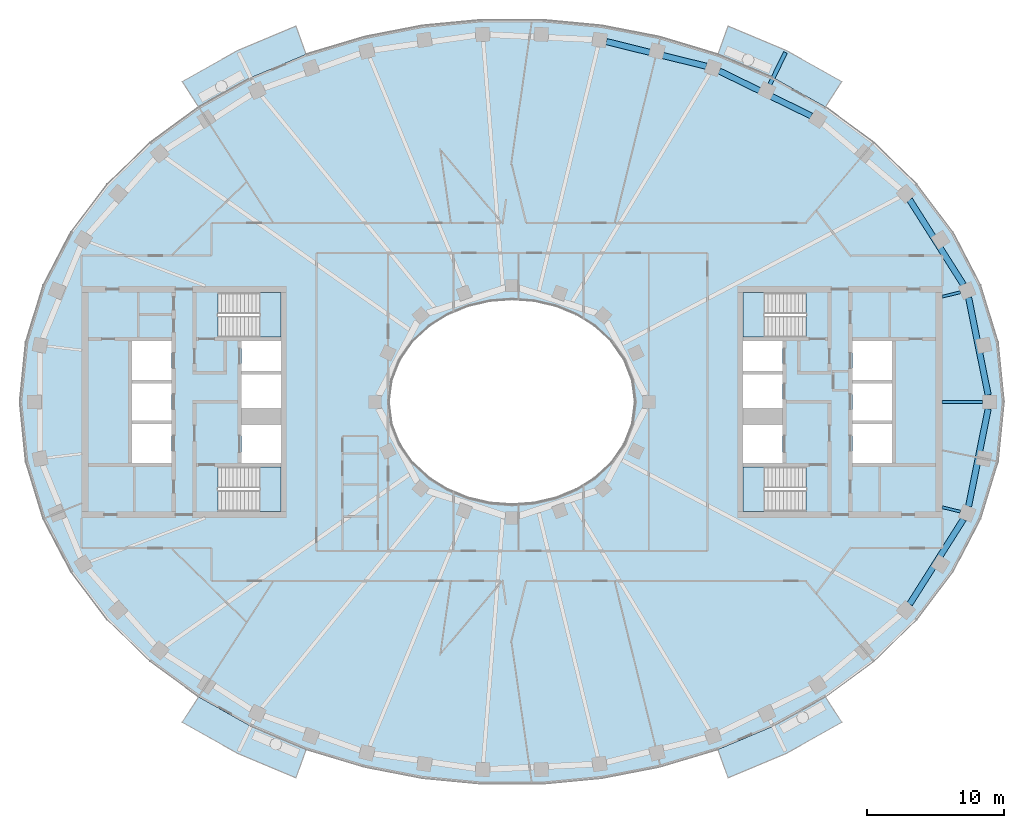
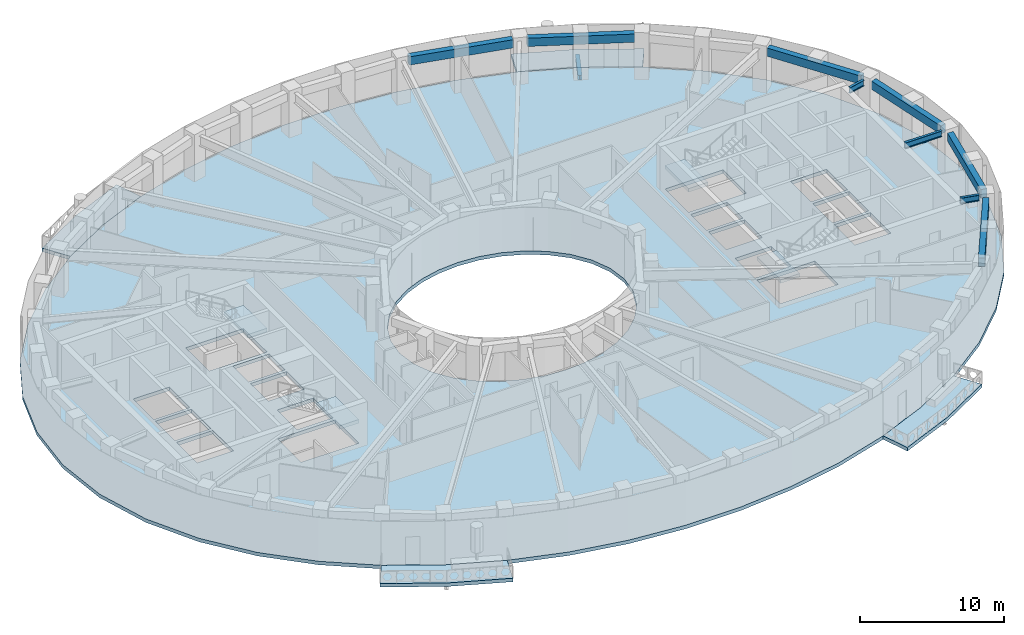
# One storey, part 2 of 15: 10 beams, 9 slabs, 4 elements without a shape of their own.
"""IFC4 building model written with IfcOpenShell, lengths in metres."""

from ifc_helpers import new_model, si_unit, direction, frame, origin, origin_2d, place, context, subcontext, project, spatial, polyline, rectangle, i_section, outline, extrude, material, layer, layer_set, material_profile, profile_set, type_object, element, aggregate, save


model = new_model("IFC4")

# Units and contexts
model_context = context("Model", 3, precision=1e-05, world=origin(), true_north=direction((0.0, 1.0)))
body_context = subcontext(model_context, "Body", "Model", "MODEL_VIEW")
ifc_project = project(units=[si_unit("LENGTHUNIT", "METRE"), si_unit("AREAUNIT", "SQUARE_METRE"), si_unit("VOLUMEUNIT", "CUBIC_METRE"), si_unit("PLANEANGLEUNIT", "RADIAN"), si_unit("MASSUNIT", "GRAM", prefix="KILO")], contexts=[model_context])

# Site, building, storey
site_placement = place(None, origin())
site = spatial("IfcSite", under=ifc_project, at=site_placement, CompositionType="ELEMENT")
building_placement = place(site_placement, origin())
building = spatial("IfcBuilding", under=site, at=building_placement, Name="Noorbagh Ring Tower", CompositionType="ELEMENT")
storey_placement = place(building_placement, frame((0.0, 0.0, 265.5)))
storey = spatial("IfcBuildingStorey", under=building, at=storey_placement, Name="L56", CompositionType="ELEMENT", Elevation=265.5)

# Beams
ifc_material_1 = material(Name="Steel S355", Category="steel")
ifc_material_profile_1 = material_profile(ifc_material_1, i_section(OverallWidth=0.300048828125, OverallDepth=0.39990234375, WebThickness=0.013427734375, FlangeThickness=0.02392578125, FilletRadius=0.027099609375, at=origin_2d()), Name="HEB400")
ifc_profile_set_1 = profile_set([ifc_material_profile_1], Name="Steel S355")
beam_type_1 = type_object("IfcBeamType", Name="STR-BALCONY-BRACKET-HEB400", PredefinedType="BEAM", material=ifc_profile_set_1)
beam_1_placement = place(storey_placement, frame((18.8681640625, 23.239013671875, -0.5), z_axis=(0.439233708137, 0.898372834427, 0.0), x_axis=(-0.898372834427, 0.439233708137, 0.0)))
element("IfcBeam", 1, at=beam_1_placement, inside=storey, type_object=beam_type_1, Name="Balcony bracket beam BN02", PredefinedType="BEAM", context=body_context, shape_type="SweptSolid", body=[
    extrude(i_section(OverallWidth=0.300048828125, OverallDepth=0.39990234375, WebThickness=0.013427734375, FlangeThickness=0.02392578125, FilletRadius=0.027099609375, at=origin_2d()), origin(), (0.0, 0.0, 1.0), 2.60009765625),
])
ifc_material_2 = material(Name="Steel S355", Category="steel")
ifc_material_profile_2 = material_profile(ifc_material_2, i_section(OverallWidth=0.199951171875, OverallDepth=0.5, WebThickness=0.01025390625, FlangeThickness=0.01611328125, FilletRadius=0.02099609375, at=origin_2d()), Name="IPE500")
ifc_profile_set_2 = profile_set([ifc_material_profile_2], Name="Steel S355")
beam_type_2 = type_object("IfcBeamType", Name="STR-RAD-IPE500", PredefinedType="BEAM", material=ifc_profile_set_2)
beam_2_placement = place(storey_placement, frame((34.439697265625, 0.0, 3.449951171875), z_axis=(-1.0, 0.0, 0.0), x_axis=(0.0, -1.0, 0.0)))
element("IfcBeam", 2, at=beam_2_placement, inside=storey, type_object=beam_type_2, Name="L56/bm/RD01", PredefinedType="BEAM", context=body_context, shape_type="SweptSolid", body=[
    extrude(i_section(OverallWidth=0.199951171875, OverallDepth=0.5, WebThickness=0.01025390625, FlangeThickness=0.01611328125, FilletRadius=0.02099609375, at=origin_2d()), origin(), (0.0, 0.0, 1.0), 2.959716796875),
])
for number, where, z_axis, x_axis, name in (
    (3, (32.80908203125, 8.02783203125, 3.449951171875), (-0.971368805904, -0.237576604311, 0.0), (0.237576604311, -0.971368805904, 0.0), "L56/bm/RD03"),
    (4, (32.80908203125, -8.02783203125, 3.449951171875), (-0.971368805904, 0.237576604311, 0.0), (-0.237576604311, -0.971368805904, 0.0), "L56/bm/RD45"),
):
    element("IfcBeam", number, at=place(storey_placement, frame(where, z_axis=z_axis, x_axis=x_axis)), inside=storey, type_object=beam_type_2, Name=name, PredefinedType="BEAM", context=body_context, shape_type="SweptSolid", body=[
        extrude(i_section(OverallWidth=0.199951171875, OverallDepth=0.5, WebThickness=0.01025390625, FlangeThickness=0.01611328125, FilletRadius=0.02099609375, at=origin_2d()), origin(), (0.0, 0.0, 1.0), 1.36767578125),
    ])
ifc_material_3 = material(Name="Concrete C40/50", Category="concrete")
ifc_material_profile_3 = material_profile(ifc_material_3, rectangle(XDim=0.449951171875, YDim=0.699951171875, at=origin_2d()), Name="RC450x700")
ifc_profile_set_3 = profile_set([ifc_material_profile_3], Name="Concrete C40/50")
beam_type_3 = type_object("IfcBeamType", Name="STR-SB-RC450x700-C40-50", PredefinedType="BEAM", material=ifc_profile_set_3)
beam_3_placement = place(storey_placement, frame((34.843017578125, 0.50537109375, 3.35009765625), z_axis=(-0.197224898537, 0.980358270938, 0.0), x_axis=(-0.980358270938, -0.197224898537, 0.0)))
element("IfcBeam", 5, at=beam_3_placement, inside=storey, type_object=beam_type_3, Name="L56/bm/SP01", PredefinedType="BEAM", context=body_context, shape_type="SweptSolid", body=[
    extrude(rectangle(XDim=0.449951171875, YDim=0.699951171875, at=origin_2d()), origin(), (0.0, 0.0, 1.0), 7.282470703125),
])
beam_4_placement = place(storey_placement, frame((33.030517578125, 8.5830078125, 3.35009765625), z_axis=(-0.535199696751, 0.844725567624, 0.0), x_axis=(-0.844725567624, -0.535199696751, 0.0)))
element("IfcBeam", 6, at=beam_4_placement, inside=storey, type_object=beam_type_3, Name="L56/bm/SP03", PredefinedType="BEAM", context=body_context, shape_type="SweptSolid", body=[
    extrude(rectangle(XDim=0.449951171875, YDim=0.699951171875, at=origin_2d()), origin(), (0.0, 0.0, 1.0), 7.357421875),
])
beam_5_placement = place(storey_placement, frame((21.905029296875, 20.92333984375, 3.35009765625), z_axis=(-0.898394634575, 0.439189117087, 0.0), x_axis=(-0.439189117087, -0.898394634575, 0.0)))
element("IfcBeam", 7, at=beam_5_placement, inside=storey, type_object=beam_type_3, Name="L56/bm/SP07", PredefinedType="BEAM", context=body_context, shape_type="SweptSolid", body=[
    extrude(rectangle(XDim=0.449951171875, YDim=0.699951171875, at=origin_2d()), origin(), (0.0, 0.0, 1.0), 7.501220703125),
])
beam_6_placement = place(storey_placement, frame((14.216552734375, 24.562744140625, 3.35009765625), z_axis=(-0.970832363292, 0.239759300935, 0.0), x_axis=(-0.239759300935, -0.970832363292, 0.0)))
element("IfcBeam", 8, at=beam_6_placement, inside=storey, type_object=beam_type_3, Name="L56/bm/SP09", PredefinedType="BEAM", context=body_context, shape_type="SweptSolid", body=[
    extrude(rectangle(XDim=0.449951171875, YDim=0.699951171875, at=origin_2d()), origin(), (0.0, 0.0, 1.0), 7.5341796875),
])
beam_7_placement = place(storey_placement, frame((29.0927734375, -14.798095703125, 3.35009765625), z_axis=(0.535199696751, 0.844725567624, 0.0), x_axis=(-0.844725567624, 0.535199696751, 0.0)))
element("IfcBeam", 9, at=beam_7_placement, inside=storey, type_object=beam_type_3, Name="L56/bm/SP43", PredefinedType="BEAM", context=body_context, shape_type="SweptSolid", body=[
    extrude(rectangle(XDim=0.449951171875, YDim=0.699951171875, at=origin_2d()), origin(), (0.0, 0.0, 1.0), 7.357421875),
])
beam_8_placement = place(storey_placement, frame((33.40673828125, -7.644775390625, 3.35009765625), z_axis=(0.197224898537, 0.980358270938, 0.0), x_axis=(-0.980358270938, 0.197224898537, 0.0)))
element("IfcBeam", 10, at=beam_8_placement, inside=storey, type_object=beam_type_3, Name="L56/bm/SP45", PredefinedType="BEAM", context=body_context, shape_type="SweptSolid", body=[
    extrude(rectangle(XDim=0.449951171875, YDim=0.699951171875, at=origin_2d()), origin(), (0.0, 0.0, 1.0), 7.282470703125),
])

# Stair, slab
ifc_material_4 = material(Name="Concrete C40/50", Category="concrete")
stair_type = type_object("IfcStairType", Name="CORE-STAIR", PredefinedType="HALF_TURN_STAIR", material=ifc_material_4)
stair_1_placement = place(storey_placement, origin())
stair_1 = element("IfcStair", 11, at=stair_1_placement, inside=storey, type_object=stair_type, Name="L56 Exit stair ST1", PredefinedType="HALF_TURN_STAIR")
ifc_material_5 = material(Name="Concrete C40/50", Category="concrete")
ifc_layer_1 = layer(ifc_material_5, 0.300048828125)
ifc_layer_set_1 = layer_set([ifc_layer_1], Name="Concrete C40/50")
slab_type_1 = type_object("IfcSlabType", Name="CORE-STAIR-LANDING", PredefinedType="LANDING", material=ifc_layer_set_1)
slab_1_placement = place(storey_placement, frame((0.0, 0.0, 1.699951171875)))
slab_1 = element("IfcSlab", 12, at=slab_1_placement, type_object=slab_type_1, Name="ST1 landing 1", PredefinedType="LANDING", context=body_context, shape_type="SweptSolid", body=[
    extrude(outline(polyline([(-18.449951171875, 4.75), (-16.89990234375, 4.75), (-16.89990234375, 8.0), (-18.449951171875, 8.0), (-18.449951171875, 4.75)])), origin(), (0.0, 0.0, 1.0), 0.300048828125),
])
aggregate(stair_1, [slab_1])

stair_2_placement = place(storey_placement, origin())
stair_2 = element("IfcStair", 13, at=stair_2_placement, inside=storey, type_object=stair_type, Name="L56 Exit stair ST2", PredefinedType="HALF_TURN_STAIR")
slab_2_placement = place(storey_placement, frame((0.0, 0.0, 1.699951171875)))
slab_2 = element("IfcSlab", 14, at=slab_2_placement, type_object=slab_type_1, Name="ST2 landing 1", PredefinedType="LANDING", context=body_context, shape_type="SweptSolid", body=[
    extrude(outline(polyline([(-18.449951171875, -8.0), (-16.89990234375, -8.0), (-16.89990234375, -4.75), (-18.449951171875, -4.75), (-18.449951171875, -8.0)])), origin(), (0.0, 0.0, 1.0), 0.300048828125),
])
aggregate(stair_2, [slab_2])

stair_3_placement = place(storey_placement, origin())
stair_3 = element("IfcStair", 15, at=stair_3_placement, inside=storey, type_object=stair_type, Name="L56 Exit stair ST3", PredefinedType="HALF_TURN_STAIR")
slab_3_placement = place(storey_placement, frame((0.0, 0.0, 1.699951171875)))
slab_3 = element("IfcSlab", 16, at=slab_3_placement, type_object=slab_type_1, Name="ST3 landing 1", PredefinedType="LANDING", context=body_context, shape_type="SweptSolid", body=[
    extrude(outline(polyline([(18.449951171875, 8.0), (16.89990234375, 8.0), (16.89990234375, 4.75), (18.449951171875, 4.75), (18.449951171875, 8.0)])), origin(), (0.0, 0.0, 1.0), 0.300048828125),
])
aggregate(stair_3, [slab_3])

stair_4_placement = place(storey_placement, origin())
stair_4 = element("IfcStair", 17, at=stair_4_placement, inside=storey, type_object=stair_type, Name="L56 Exit stair ST4", PredefinedType="HALF_TURN_STAIR")
slab_4_placement = place(storey_placement, frame((0.0, 0.0, 1.699951171875)))
slab_4 = element("IfcSlab", 18, at=slab_4_placement, type_object=slab_type_1, Name="ST4 landing 1", PredefinedType="LANDING", context=body_context, shape_type="SweptSolid", body=[
    extrude(outline(polyline([(18.449951171875, -4.75), (16.89990234375, -4.75), (16.89990234375, -8.0), (18.449951171875, -8.0), (18.449951171875, -4.75)])), origin(), (0.0, 0.0, 1.0), 0.300048828125),
])
aggregate(stair_4, [slab_4])

# Slabs
ifc_material_6 = material(Name="Concrete C40/50", Category="concrete")
ifc_layer_2 = layer(ifc_material_6, 0.300048828125)
ifc_layer_set_2 = layer_set([ifc_layer_2], Name="Concrete C40/50")
slab_type_2 = type_object("IfcSlabType", Name="ENV-BALCONY DECK 300", PredefinedType="FLOOR", material=ifc_layer_set_2)
slab_5_placement = place(storey_placement, frame((0.0, 0.0, -0.300048828125)))
element("IfcSlab", 19, at=slab_5_placement, inside=storey, type_object=slab_type_2, Name="Tree balcony deck BN02", PredefinedType="FLOOR", context=body_context, shape_type="SweptSolid", body=[
    extrude(outline(polyline([(24.1279296875, 23.435791015625), (20.076171875, 25.709716796875), (15.810791015625, 27.50341796875), (15.0654296875, 25.430419921875), (19.108154296875, 23.730224609375), (22.9326171875, 21.583740234375), (24.1279296875, 23.435791015625)])), origin(), (0.0, 0.0, 1.0), 0.300048828125),
])
slab_6_placement = place(storey_placement, frame((0.0, 0.0, -0.300048828125)))
element("IfcSlab", 20, at=slab_6_placement, inside=storey, type_object=slab_type_2, Name="Tree balcony deck BN05", PredefinedType="FLOOR", context=body_context, shape_type="SweptSolid", body=[
    extrude(outline(polyline([(-15.810791015625, 27.50341796875), (-20.076171875, 25.709716796875), (-24.1279296875, 23.435791015625), (-22.9326171875, 21.583740234375), (-19.108154296875, 23.730224609375), (-15.0654296875, 25.430419921875), (-15.810791015625, 27.50341796875)])), origin(), (0.0, 0.0, 1.0), 0.300048828125),
])
slab_7_placement = place(storey_placement, frame((0.0, 0.0, -0.300048828125)))
element("IfcSlab", 21, at=slab_7_placement, inside=storey, type_object=slab_type_2, Name="Tree balcony deck BS02", PredefinedType="FLOOR", context=body_context, shape_type="SweptSolid", body=[
    extrude(outline(polyline([(-24.1279296875, -23.435791015625), (-20.076171875, -25.709716796875), (-15.810791015625, -27.50341796875), (-15.0654296875, -25.430419921875), (-19.108154296875, -23.730224609375), (-22.9326171875, -21.583740234375), (-24.1279296875, -23.435791015625)])), origin(), (0.0, 0.0, 1.0), 0.300048828125),
])
slab_8_placement = place(storey_placement, frame((0.0, 0.0, -0.300048828125)))
element("IfcSlab", 22, at=slab_8_placement, inside=storey, type_object=slab_type_2, Name="Tree balcony deck BS05", PredefinedType="FLOOR", context=body_context, shape_type="SweptSolid", body=[
    extrude(outline(polyline([(15.810791015625, -27.50341796875), (20.076171875, -25.709716796875), (24.1279296875, -23.435791015625), (22.9326171875, -21.583740234375), (19.108154296875, -23.730224609375), (15.0654296875, -25.430419921875), (15.810791015625, -27.50341796875)])), origin(), (0.0, 0.0, 1.0), 0.300048828125),
])
ifc_material_7 = material(Name="Concrete C40/50", Category="concrete")
ifc_layer_3 = layer(ifc_material_7, 0.300048828125)
ifc_layer_set_3 = layer_set([ifc_layer_3], Name="Concrete C40/50")
slab_type_3 = type_object("IfcSlabType", Name="STR-FLOOR-DECK-300", PredefinedType="FLOOR", material=ifc_layer_set_3)
slab_9_placement = place(storey_placement, frame((0.0, 0.0, -0.300048828125)))
element("IfcSlab", 23, at=slab_9_placement, inside=storey, type_object=slab_type_3, Name="L56/slab/1", PredefinedType="FLOOR", context=body_context, shape_type="SweptSolid", body=[
    extrude(outline(polyline([(36.0, 0.0), (35.56103515625, 4.358642578125), (34.281005859375, 8.548828125), (32.255126953125, 12.434814453125), (29.607666015625, 15.92822265625), (26.463134765625, 18.983154296875), (22.9326171875, 21.583740234375), (19.108154296875, 23.730224609375), (15.0654296875, 25.430419921875), (10.865234375, 26.6943359375), (6.5595703125, 27.53125), (2.193115234375, 27.947998046875), (-2.193115234375, 27.947998046875), (-6.5595703125, 27.53125), (-10.865234375, 26.6943359375), (-15.0654296875, 25.430419921875), (-19.108154296875, 23.730224609375), (-22.9326171875, 21.583740234375), (-26.463134765625, 18.983154296875), (-29.607666015625, 15.92822265625), (-32.255126953125, 12.434814453125), (-34.281005859375, 8.548828125), (-35.56103515625, 4.358642578125), (-36.0, 0.0), (-35.56103515625, -4.358642578125), (-34.281005859375, -8.548828125), (-32.255126953125, -12.434814453125), (-29.607666015625, -15.92822265625), (-26.463134765625, -18.983154296875), (-22.9326171875, -21.583740234375), (-19.108154296875, -23.730224609375), (-15.0654296875, -25.430419921875), (-10.865234375, -26.6943359375), (-6.5595703125, -27.53125), (-2.193115234375, -27.947998046875), (2.193115234375, -27.947998046875), (6.5595703125, -27.53125), (10.865234375, -26.6943359375), (15.0654296875, -25.430419921875), (19.108154296875, -23.730224609375), (22.9326171875, -21.583740234375), (26.463134765625, -18.983154296875), (29.607666015625, -15.92822265625), (32.255126953125, -12.434814453125), (34.281005859375, -8.548828125), (35.56103515625, -4.358642578125), (36.0, 0.0)]), holes=[polyline([(24.89990234375, 4.449951171875), (27.800048828125, 4.449951171875), (27.800048828125, 1.60009765625), (24.89990234375, 1.60009765625), (24.89990234375, 4.449951171875)]), polyline([(24.89990234375, 1.35009765625), (27.800048828125, 1.35009765625), (27.800048828125, -1.35009765625), (24.89990234375, -1.35009765625), (24.89990234375, 1.35009765625)]), polyline([(24.89990234375, -1.60009765625), (27.800048828125, -1.60009765625), (27.800048828125, -4.449951171875), (24.89990234375, -4.449951171875), (24.89990234375, -1.60009765625)]), polyline([(21.529541015625, -8.0), (16.89990234375, -8.0), (16.89990234375, -4.75), (21.529541015625, -4.75), (21.529541015625, -8.0)]), polyline([(16.89990234375, 4.75), (16.89990234375, 8.0), (21.529541015625, 8.0), (21.529541015625, 4.75), (16.89990234375, 4.75)]), polyline([(19.800048828125, 4.449951171875), (19.800048828125, 2.25), (16.89990234375, 2.25), (16.89990234375, 4.449951171875), (19.800048828125, 4.449951171875)]), polyline([(16.89990234375, 2.0), (19.800048828125, 2.0), (19.800048828125, -0.449951171875), (16.89990234375, -0.449951171875), (16.89990234375, 2.0)]), polyline([(16.89990234375, -1.699951171875), (19.800048828125, -1.699951171875), (19.800048828125, -4.449951171875), (16.89990234375, -4.449951171875), (16.89990234375, -1.699951171875)]), polyline([(4.697509765625, -6.3974609375), (3.196533203125, -7.010986328125), (1.6171875, -7.3779296875), (0.0, -7.5), (-1.6171875, -7.3779296875), (-3.196533203125, -7.010986328125), (-4.697509765625, -6.3974609375), (-6.071044921875, -5.53662109375), (-7.2587890625, -4.43408203125), (-8.1904296875, -3.10888671875), (-8.79150390625, -1.605224609375), (-9.0, 0.0), (-8.79150390625, 1.605224609375), (-8.1904296875, 3.10888671875), (-7.2587890625, 4.43408203125), (-6.071044921875, 5.53662109375), (-4.697509765625, 6.3974609375), (-3.196533203125, 7.010986328125), (-1.6171875, 7.3779296875), (0.0, 7.5), (1.6171875, 7.3779296875), (3.196533203125, 7.010986328125), (4.697509765625, 6.3974609375), (6.071044921875, 5.53662109375), (7.2587890625, 4.43408203125), (8.1904296875, 3.10888671875), (8.79150390625, 1.605224609375), (9.0, 0.0), (8.79150390625, -1.605224609375), (8.1904296875, -3.10888671875), (7.2587890625, -4.43408203125), (6.071044921875, -5.53662109375), (4.697509765625, -6.3974609375)]), polyline([(-16.89990234375, 2.25), (-19.800048828125, 2.25), (-19.800048828125, 4.449951171875), (-16.89990234375, 4.449951171875), (-16.89990234375, 2.25)]), polyline([(-16.89990234375, -0.449951171875), (-19.800048828125, -0.449951171875), (-19.800048828125, 2.0), (-16.89990234375, 2.0), (-16.89990234375, -0.449951171875)]), polyline([(-16.89990234375, -4.449951171875), (-19.800048828125, -4.449951171875), (-19.800048828125, -1.699951171875), (-16.89990234375, -1.699951171875), (-16.89990234375, -4.449951171875)]), polyline([(-21.529541015625, 8.0), (-16.89990234375, 8.0), (-16.89990234375, 4.75), (-21.529541015625, 4.75), (-21.529541015625, 8.0)]), polyline([(-21.529541015625, -4.75), (-16.89990234375, -4.75), (-16.89990234375, -8.0), (-21.529541015625, -8.0), (-21.529541015625, -4.75)]), polyline([(-24.89990234375, -4.449951171875), (-27.800048828125, -4.449951171875), (-27.800048828125, -1.60009765625), (-24.89990234375, -1.60009765625), (-24.89990234375, -4.449951171875)]), polyline([(-24.89990234375, 1.60009765625), (-27.800048828125, 1.60009765625), (-27.800048828125, 4.449951171875), (-24.89990234375, 4.449951171875), (-24.89990234375, 1.60009765625)]), polyline([(-24.89990234375, -1.35009765625), (-27.800048828125, -1.35009765625), (-27.800048828125, 1.35009765625), (-24.89990234375, 1.35009765625), (-24.89990234375, -1.35009765625)])]), origin(), (0.0, 0.0, 1.0), 0.300048828125),
])

save(model, "model.ifc")
